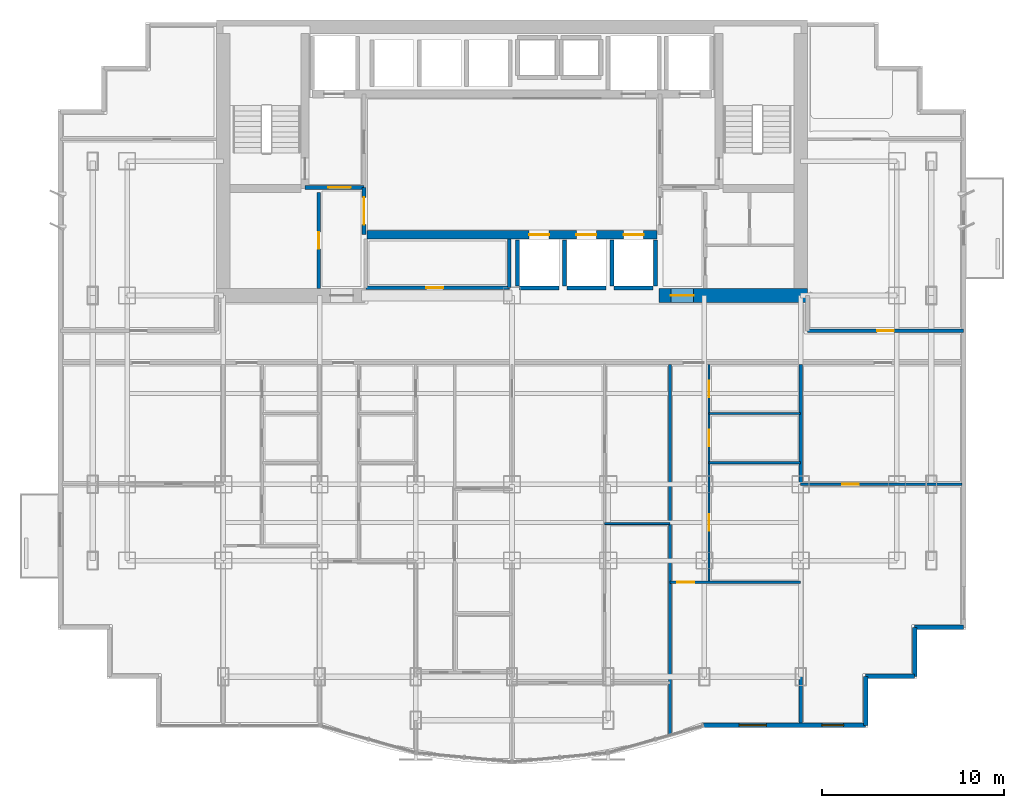
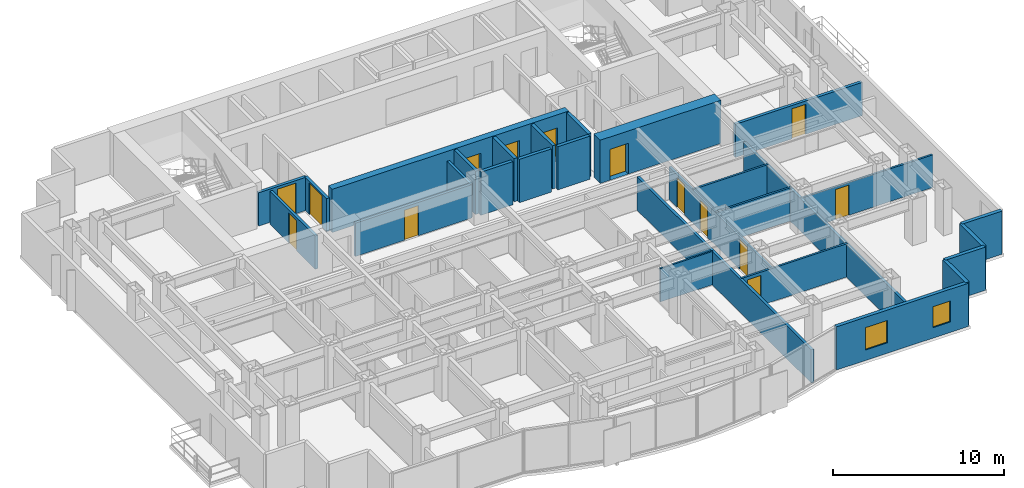
# One storey, part 6 of 10: 28 walls, 14 doors, 2 windows, 16 openings.
"""IFC4 building model written with IfcOpenShell, lengths in metres."""

from ifc_helpers import new_model, si_unit, direction, frame, frame_2d, origin, place, context, subcontext, project, spatial, rectangle, extrude, material, layer, layer_set, type_object, element, fill, save


model = new_model("IFC4")

# Units and contexts
model_context = context("Model", 3, precision=1e-05, world=origin(), true_north=direction((0.0, 1.0)))
body_context = subcontext(model_context, "Body", "Model", "MODEL_VIEW")
ifc_project = project(units=[si_unit("LENGTHUNIT", "METRE"), si_unit("AREAUNIT", "SQUARE_METRE"), si_unit("VOLUMEUNIT", "CUBIC_METRE"), si_unit("PLANEANGLEUNIT", "RADIAN"), si_unit("MASSUNIT", "GRAM", prefix="KILO")], contexts=[model_context])

# Site, building, storey
site_placement = place(None, origin())
site = spatial("IfcSite", under=ifc_project, at=site_placement, CompositionType="ELEMENT")
building_placement = place(site_placement, origin())
building = spatial("IfcBuilding", under=site, at=building_placement, Name="Qianlan Lanfeng Residences", CompositionType="ELEMENT")
storey_placement = place(building_placement, frame((0.0, 0.0, 118.0)))
storey = spatial("IfcBuildingStorey", under=building, at=storey_placement, Name="L32", CompositionType="ELEMENT", Elevation=118.0)

# Wall, openings, doors
ifc_material_1 = material(Name="Concrete C60", Category="concrete")
ifc_layer_1 = layer(ifc_material_1, 0.449951171875)
ifc_layer_set_1 = layer_set([ifc_layer_1], Name="Concrete C60")
wall_type_1 = type_object("IfcWallType", Name="CW-RC-450", PredefinedType="SHEAR", material=ifc_layer_set_1)
wall_1_placement = place(storey_placement, frame((18.5, 28.550048828125, 0.0), z_axis=(0.0, 0.0, 1.0), x_axis=(1.0, 0.0, 0.0)))
wall_1 = element("IfcWall", 1, at=wall_1_placement, inside=storey, type_object=wall_type_1, Name="L32 Core Shear Wall LBS", PredefinedType="SHEAR", context=body_context, shape_type="SweptSolid", body=[
    extrude(rectangle(XDim=16.0, YDim=0.449951171875, at=frame_2d((8.0, 0.0))), origin(), (0.0, 0.0, 1.0), 3.090087890625),
])
opening_1_placement = place(wall_1_placement, frame((8.949951171875, 0.0, 0.0)))
opening_1 = element("IfcOpeningElement", 2, at=opening_1_placement, cuts=wall_1, Name="Opening L32-LD-PL-M1", PredefinedType="OPENING", context=body_context, shape_type="SweptSolid", body=[
    extrude(rectangle(XDim=1.10009765625, YDim=2.14990234375, at=frame_2d((0.550048828125, 1.074951171875))), frame((0.0, 0.23486328125, 0.0), z_axis=(0.0, -1.0, 0.0), x_axis=(1.0, 0.0, 0.0)), (0.0, 0.0, 1.0), 0.469970703125),
])
opening_2_placement = place(wall_1_placement, frame((11.550048828125, 0.0, 0.0)))
opening_2 = element("IfcOpeningElement", 3, at=opening_2_placement, cuts=wall_1, Name="Opening L32-LD-PL-M2", PredefinedType="OPENING", context=body_context, shape_type="SweptSolid", body=[
    extrude(rectangle(XDim=1.10009765625, YDim=2.14990234375, at=frame_2d((0.550048828125, 1.074951171875))), frame((0.0, 0.23486328125, 0.0), z_axis=(0.0, -1.0, 0.0), x_axis=(1.0, 0.0, 0.0)), (0.0, 0.0, 1.0), 0.469970703125),
])
opening_3_placement = place(wall_1_placement, frame((14.14990234375, 0.0, 0.0)))
opening_3 = element("IfcOpeningElement", 4, at=opening_3_placement, cuts=wall_1, Name="Opening L32-LD-PL-M3", PredefinedType="OPENING", context=body_context, shape_type="SweptSolid", body=[
    extrude(rectangle(XDim=1.10009765625, YDim=2.14990234375, at=frame_2d((0.550048828125, 1.074951171875))), frame((0.0, 0.23486328125, 0.0), z_axis=(0.0, -1.0, 0.0), x_axis=(1.0, 0.0, 0.0)), (0.0, 0.0, 1.0), 0.469970703125),
])
ifc_material_2 = material(Name="Brushed Stainless Steel Sliding Lift Door", Category="steel")
door_type_1 = type_object("IfcDoorType", Name="LD-01", OperationType="NOTDEFINED", PredefinedType="DOOR", material=ifc_material_2)
door_1_placement = place(opening_1_placement, origin())
door_1 = element("IfcDoor", 5, at=door_1_placement, inside=storey, type_object=door_type_1, Name="L32 Elevator PL-M1 Sliding Landing Door", OperationType="DOUBLE_DOOR_SLIDING", OverallHeight=2.14990234375, OverallWidth=1.10009765625, PredefinedType="DOOR", context=body_context, shape_type="SweptSolid", body=[
    extrude(rectangle(XDim=1.10009765625, YDim=2.14990234375, at=frame_2d((0.550048828125, 1.074951171875))), frame((0.0, 0.02490234375, 0.0), z_axis=(0.0, -1.0, 0.0), x_axis=(1.0, 0.0, 0.0)), (0.0, 0.0, 1.0), 0.050048828125),
])
fill(opening_1, door_1)
door_2_placement = place(opening_2_placement, origin())
door_2 = element("IfcDoor", 6, at=door_2_placement, inside=storey, type_object=door_type_1, Name="L32 Elevator PL-M2 Sliding Landing Door", OperationType="DOUBLE_DOOR_SLIDING", OverallHeight=2.14990234375, OverallWidth=1.10009765625, PredefinedType="DOOR", context=body_context, shape_type="SweptSolid", body=[
    extrude(rectangle(XDim=1.10009765625, YDim=2.14990234375, at=frame_2d((0.550048828125, 1.074951171875))), frame((0.0, 0.02490234375, 0.0), z_axis=(0.0, -1.0, 0.0), x_axis=(1.0, 0.0, 0.0)), (0.0, 0.0, 1.0), 0.050048828125),
])
fill(opening_2, door_2)
door_3_placement = place(opening_3_placement, origin())
door_3 = element("IfcDoor", 7, at=door_3_placement, inside=storey, type_object=door_type_1, Name="L32 Elevator PL-M3 Sliding Landing Door", OperationType="DOUBLE_DOOR_SLIDING", OverallHeight=2.14990234375, OverallWidth=1.10009765625, PredefinedType="DOOR", context=body_context, shape_type="SweptSolid", body=[
    extrude(rectangle(XDim=1.10009765625, YDim=2.14990234375, at=frame_2d((0.550048828125, 1.074951171875))), frame((0.0, 0.02490234375, 0.0), z_axis=(0.0, -1.0, 0.0), x_axis=(1.0, 0.0, 0.0)), (0.0, 0.0, 1.0), 0.050048828125),
])
fill(opening_3, door_3)

# Wall, opening, door
ifc_layer_2 = layer(ifc_material_1, 0.75)
ifc_layer_set_2 = layer_set([ifc_layer_2], Name="Concrete C60")
wall_type_2 = type_object("IfcWallType", Name="CW-RC-750", PredefinedType="SHEAR", material=ifc_layer_set_2)
wall_2_placement = place(storey_placement, frame((34.60009765625, 25.199951171875, 0.0), z_axis=(0.0, 0.0, 1.0), x_axis=(1.0, 0.0, 0.0)))
wall_2 = element("IfcWall", 8, at=wall_2_placement, inside=storey, type_object=wall_type_2, Name="L32 Core Shear Wall SE", PredefinedType="SHEAR", context=body_context, shape_type="SweptSolid", body=[
    extrude(rectangle(XDim=8.1748046875, YDim=0.75, at=frame_2d((4.08740234375, 0.0))), origin(), (0.0, 0.0, 1.0), 3.090087890625),
])
opening_4_placement = place(wall_2_placement, frame((0.64990234375, 0.0, 0.0)))
opening_4 = element("IfcOpeningElement", 9, at=opening_4_placement, cuts=wall_2, Name="Opening L32-D02", PredefinedType="OPENING", context=body_context, shape_type="SweptSolid", body=[
    extrude(rectangle(XDim=1.25, YDim=2.199951171875, at=frame_2d((0.625, 1.10009765625))), frame((0.0, 0.385009765625, 0.0), z_axis=(0.0, -1.0, 0.0), x_axis=(1.0, 0.0, 0.0)), (0.0, 0.0, 1.0), 0.77001953125),
])
ifc_material_3 = material(Name="Painted Galvanised Steel Fire Door", Category="steel")
door_type_2 = type_object("IfcDoorType", Name="DT-FFL", OperationType="NOTDEFINED", PredefinedType="DOOR", material=ifc_material_3)
door_4_placement = place(opening_4_placement, frame((1.25, 0.0, 0.0), z_axis=(0.0, 0.0, 1.0), x_axis=(-1.0, 0.0, 0.0)))
door_4 = element("IfcDoor", 10, at=door_4_placement, inside=storey, type_object=door_type_2, Name="L32 East Core Lobby Smoke Door L32-D02 (DT-FFL)", OperationType="SINGLE_SWING_LEFT", OverallHeight=2.199951171875, OverallWidth=1.25, PredefinedType="DOOR", context=body_context, shape_type="SweptSolid", body=[
    extrude(rectangle(XDim=1.25, YDim=2.199951171875, at=frame_2d((0.625, 1.10009765625))), frame((0.0, 0.02490234375, 0.0), z_axis=(0.0, -1.0, 0.0), x_axis=(1.0, 0.0, 0.0)), (0.0, 0.0, 1.0), 0.050048828125),
])
fill(opening_4, door_4)

# Wall, openings, windows
ifc_material_4 = material(Name="Concrete C42", Category="concrete")
ifc_layer_3 = layer(ifc_material_4, 0.239990234375)
ifc_layer_set_3 = layer_set([ifc_layer_3], Name="Concrete C42")
wall_type_3 = type_object("IfcWallType", Name="EW-240", PredefinedType="SOLIDWALL", material=ifc_layer_set_3)
wall_3_placement = place(storey_placement, frame((37.05908203125, 1.52001953125, 0.0), z_axis=(0.0, 0.0, 1.0), x_axis=(1.0, 0.0, 0.0)))
wall_3 = element("IfcWall", 11, at=wall_3_placement, inside=storey, type_object=wall_type_3, Name="L32 Exterior Facade Spandrel Wall 5", PredefinedType="SOLIDWALL", context=body_context, shape_type="SweptSolid", body=[
    extrude(rectangle(XDim=8.9208984375, YDim=0.239990234375, at=frame_2d((4.46044921875, 0.0))), origin(), (0.0, 0.0, 1.0), 3.090087890625),
])
opening_5_placement = place(wall_3_placement, frame((1.946044921875, 0.0, 0.75)))
opening_5 = element("IfcOpeningElement", 12, at=opening_5_placement, cuts=wall_3, Name="Opening W-02", PredefinedType="OPENING", context=body_context, shape_type="SweptSolid", body=[
    extrude(rectangle(XDim=1.5, YDim=1.60009765625, at=frame_2d((0.75, 0.800048828125))), frame((0.0, 0.1298828125, 0.0), z_axis=(0.0, -1.0, 0.0), x_axis=(1.0, 0.0, 0.0)), (0.0, 0.0, 1.0), 0.260009765625),
])
opening_6_placement = place(wall_3_placement, frame((6.506103515625, 0.0, 0.75)))
opening_6 = element("IfcOpeningElement", 13, at=opening_6_placement, cuts=wall_3, Name="Opening W-03", PredefinedType="OPENING", context=body_context, shape_type="SweptSolid", body=[
    extrude(rectangle(XDim=1.199951171875, YDim=1.5, at=frame_2d((0.60009765625, 0.75))), frame((0.0, 0.1298828125, 0.0), z_axis=(0.0, -1.0, 0.0), x_axis=(1.0, 0.0, 0.0)), (0.0, 0.0, 1.0), 0.260009765625),
])
ifc_material_5 = material(Name="Anodised Bronze Aluminium Framed Double Glazing", Category="aluminium")
window_type_1 = type_object("IfcWindowType", Name="W-02", PartitioningType="SINGLE_PANEL", PredefinedType="WINDOW", material=ifc_material_5)
window_1_placement = place(opening_5_placement, origin())
window_1 = element("IfcWindow", 14, at=window_1_placement, inside=storey, type_object=window_type_1, Name="L32 Facade Punched Window W-02", OverallHeight=1.60009765625, OverallWidth=1.5, PartitioningType="SINGLE_PANEL", PredefinedType="WINDOW", context=body_context, shape_type="SweptSolid", body=[
    extrude(rectangle(XDim=1.5, YDim=1.60009765625, at=frame_2d((0.75, 0.800048828125))), frame((0.0, 0.030029296875, 0.0), z_axis=(0.0, -1.0, 0.0), x_axis=(1.0, 0.0, 0.0)), (0.0, 0.0, 1.0), 0.06005859375),
])
fill(opening_5, window_1)
window_type_2 = type_object("IfcWindowType", Name="W-03", PartitioningType="SINGLE_PANEL", PredefinedType="WINDOW", material=ifc_material_5)
window_2_placement = place(opening_6_placement, origin())
window_2 = element("IfcWindow", 15, at=window_2_placement, inside=storey, type_object=window_type_2, Name="L32 Facade Bay Window W-03", OverallHeight=1.5, OverallWidth=1.199951171875, PartitioningType="SINGLE_PANEL", PredefinedType="WINDOW", context=body_context, shape_type="SweptSolid", body=[
    extrude(rectangle(XDim=1.199951171875, YDim=1.5, at=frame_2d((0.60009765625, 0.75))), frame((0.0, 0.030029296875, 0.0), z_axis=(0.0, -1.0, 0.0), x_axis=(1.0, 0.0, 0.0)), (0.0, 0.0, 1.0), 0.06005859375),
])
fill(opening_6, window_2)

# Walls
for number, where, z_axis, x_axis, name in (
    (16, (45.97998046875, 1.52001953125, 0.0), (0.0, 0.0, 1.0), (0.0, 1.0, 0.0), "L32 Exterior Facade Spandrel Wall 6"),
    (17, (45.97998046875, 4.219970703125, 0.0), (0.0, 0.0, 1.0), (1.0, 0.0, 0.0), "L32 Exterior Facade Spandrel Wall 7"),
    (18, (48.679931640625, 4.219970703125, 0.0), (0.0, 0.0, 1.0), (0.0, 1.0, 0.0), "L32 Exterior Facade Spandrel Wall 8"),
    (19, (48.679931640625, 6.919921875, 0.0), (0.0, 0.0, 1.0), (1.0, 0.0, 0.0), "L32 Exterior Facade Spandrel Wall 9"),
):
    element("IfcWall", number, at=place(storey_placement, frame(where, z_axis=z_axis, x_axis=x_axis)), inside=storey, type_object=wall_type_3, Name=name, PredefinedType="SOLIDWALL", context=body_context, shape_type="SweptSolid", body=[
        extrude(rectangle(XDim=2.699951171875, YDim=0.239990234375, at=frame_2d((1.35009765625, 0.0))), origin(), (0.0, 0.0, 1.0), 3.090087890625),
    ])
ifc_material_6 = material(Name="Demountable Acoustic Framing Partition 110 mm")
ifc_layer_4 = layer(ifc_material_6, 0.110107421875)
ifc_layer_set_4 = layer_set([ifc_layer_4], Name="Demountable Acoustic Framing Partition 110 mm")
wall_type_4 = type_object("IfcWallType", Name="PW-110", PredefinedType="MOVABLE", material=ifc_layer_set_4)
wall_4_placement = place(storey_placement, frame((31.60009765625, 12.636962890625, 0.0), z_axis=(0.0, 0.0, 1.0), x_axis=(1.0, 0.0, 0.0)))
element("IfcWall", 20, at=wall_4_placement, inside=storey, type_object=wall_type_4, Name="L32 U02 Specialty Split Wall", PredefinedType="MOVABLE", context=body_context, shape_type="SweptSolid", body=[
    extrude(rectangle(XDim=3.599853515625, YDim=0.110107421875, at=frame_2d((1.7998046875, 0.0))), origin(), (0.0, 0.0, 1.0), 2.3798828125),
])

# Wall, opening, door
ifc_material_7 = material(Name="Moisture-Resistant Gypsum Partition 135 mm")
ifc_layer_5 = layer(ifc_material_7, 0.135009765625)
ifc_layer_set_5 = layer_set([ifc_layer_5], Name="Moisture-Resistant Gypsum Partition 135 mm")
wall_type_5 = type_object("IfcWallType", Name="PW-135", PredefinedType="PARTITIONING", material=ifc_layer_set_5)
wall_5_placement = place(storey_placement, frame((35.199951171875, 9.39794921875, 0.0), z_axis=(0.0, 0.0, 1.0), x_axis=(1.0, 0.0, 0.0)))
wall_5 = element("IfcWall", 21, at=wall_5_placement, inside=storey, type_object=wall_type_5, Name="L32 U03 Living Divider", PredefinedType="PARTITIONING", context=body_context, shape_type="SweptSolid", body=[
    extrude(rectangle(XDim=7.199951171875, YDim=0.135009765625, at=frame_2d((3.60009765625, 0.0))), origin(), (0.0, 0.0, 1.0), 2.3798828125),
])
opening_7_placement = place(wall_5_placement, frame((0.4150390625, 0.0, 0.0)))
opening_7 = element("IfcOpeningElement", 22, at=opening_7_placement, cuts=wall_5, Name="Opening L32-D36", PredefinedType="OPENING", context=body_context, shape_type="SweptSolid", body=[
    extrude(rectangle(XDim=0.919921875, YDim=2.14990234375, at=frame_2d((0.4599609375, 1.074951171875))), frame((0.0, 0.07763671875, 0.0), z_axis=(0.0, -1.0, 0.0), x_axis=(1.0, 0.0, 0.0)), (0.0, 0.0, 1.0), 0.155029296875),
])
ifc_material_8 = material(Name="Glazed Timber Kitchen/Study Door", Category="wood")
door_type_3 = type_object("IfcDoorType", Name="DT-INT", OperationType="NOTDEFINED", PredefinedType="DOOR", material=ifc_material_8)
door_5_placement = place(opening_7_placement, frame((0.919921875, 0.0, 0.0), z_axis=(0.0, 0.0, 1.0), x_axis=(-1.0, 0.0, 0.0)))
door_5 = element("IfcDoor", 23, at=door_5_placement, inside=storey, type_object=door_type_3, Name="L32 U03 Living Passage Door L32-D36 (DT-INT)", OperationType="SINGLE_SWING_RIGHT", OverallHeight=2.14990234375, OverallWidth=0.919921875, PredefinedType="DOOR", context=body_context, shape_type="SweptSolid", body=[
    extrude(rectangle(XDim=0.919921875, YDim=2.14990234375, at=frame_2d((0.4599609375, 1.074951171875))), frame((0.0, 0.02490234375, 0.0), z_axis=(0.0, -1.0, 0.0), x_axis=(1.0, 0.0, 0.0)), (0.0, 0.0, 1.0), 0.050048828125),
])
fill(opening_7, door_5)

# Wall, openings, doors
wall_6_placement = place(storey_placement, frame((37.35009765625, 9.39794921875, 0.0), z_axis=(0.0, 0.0, 1.0), x_axis=(0.0, 1.0, 0.0)))
wall_6 = element("IfcWall", 24, at=wall_6_placement, inside=storey, type_object=wall_type_5, Name="L32 U03 Entry Hall Spine", PredefinedType="PARTITIONING", context=body_context, shape_type="SweptSolid", body=[
    extrude(rectangle(XDim=12.001953125, YDim=0.135009765625, at=frame_2d((6.0009765625, 0.0))), origin(), (0.0, 0.0, 1.0), 2.3349609375),
])
opening_8_placement = place(wall_6_placement, frame((2.841064453125, 0.0, 0.0)))
opening_8 = element("IfcOpeningElement", 25, at=opening_8_placement, cuts=wall_6, Name="Opening L32-D37", PredefinedType="OPENING", context=body_context, shape_type="SweptSolid", body=[
    extrude(rectangle(XDim=0.919921875, YDim=2.14990234375, at=frame_2d((0.4599609375, 1.074951171875))), frame((0.0, 0.07763671875, 0.0), z_axis=(0.0, -1.0, 0.0), x_axis=(1.0, 0.0, 0.0)), (0.0, 0.0, 1.0), 0.155029296875),
])
opening_9_placement = place(wall_6_placement, frame((7.491943359375, 0.0, 0.0)))
opening_9 = element("IfcOpeningElement", 26, at=opening_9_placement, cuts=wall_6, Name="Opening L32-D38", PredefinedType="OPENING", context=body_context, shape_type="SweptSolid", body=[
    extrude(rectangle(XDim=0.919921875, YDim=2.14990234375, at=frame_2d((0.4599609375, 1.074951171875))), frame((0.0, 0.07763671875, 0.0), z_axis=(0.0, -1.0, 0.0), x_axis=(1.0, 0.0, 0.0)), (0.0, 0.0, 1.0), 0.155029296875),
])
opening_10_placement = place(wall_6_placement, frame((10.201904296875, 0.0, 0.0)))
opening_10 = element("IfcOpeningElement", 27, at=opening_10_placement, cuts=wall_6, Name="Opening L32-D39", PredefinedType="OPENING", context=body_context, shape_type="SweptSolid", body=[
    extrude(rectangle(XDim=0.89990234375, YDim=2.14990234375, at=frame_2d((0.449951171875, 1.074951171875))), frame((0.0, 0.07763671875, 0.0), z_axis=(0.0, -1.0, 0.0), x_axis=(1.0, 0.0, 0.0)), (0.0, 0.0, 1.0), 0.155029296875),
])
door_6_placement = place(opening_8_placement, origin())
door_6 = element("IfcDoor", 28, at=door_6_placement, inside=storey, type_object=door_type_3, Name="L32 U03 Study Door L32-D37 (DT-INT)", OperationType="SINGLE_SWING_LEFT", OverallHeight=2.14990234375, OverallWidth=0.919921875, PredefinedType="DOOR", context=body_context, shape_type="SweptSolid", body=[
    extrude(rectangle(XDim=0.919921875, YDim=2.14990234375, at=frame_2d((0.4599609375, 1.074951171875))), frame((0.0, 0.02490234375, 0.0), z_axis=(0.0, -1.0, 0.0), x_axis=(1.0, 0.0, 0.0)), (0.0, 0.0, 1.0), 0.050048828125),
])
fill(opening_8, door_6)
door_7_placement = place(opening_9_placement, origin())
door_7 = element("IfcDoor", 29, at=door_7_placement, inside=storey, type_object=door_type_3, Name="L32 U03 Kitchen Door L32-D38 (DT-INT)", OperationType="SINGLE_SWING_RIGHT", OverallHeight=2.14990234375, OverallWidth=0.919921875, PredefinedType="DOOR", context=body_context, shape_type="SweptSolid", body=[
    extrude(rectangle(XDim=0.919921875, YDim=2.14990234375, at=frame_2d((0.4599609375, 1.074951171875))), frame((0.0, 0.02490234375, 0.0), z_axis=(0.0, -1.0, 0.0), x_axis=(1.0, 0.0, 0.0)), (0.0, 0.0, 1.0), 0.050048828125),
])
fill(opening_9, door_7)
ifc_material_9 = material(Name="Moisture-Resistant Timber Leaf", Category="wood")
door_type_4 = type_object("IfcDoorType", Name="DT-WC", OperationType="NOTDEFINED", PredefinedType="DOOR", material=ifc_material_9)
door_8_placement = place(opening_10_placement, origin())
door_8 = element("IfcDoor", 30, at=door_8_placement, inside=storey, type_object=door_type_4, Name="L32 U03 Bathroom Door L32-D39 (DT-WC)", OperationType="SINGLE_SWING_LEFT", OverallHeight=2.14990234375, OverallWidth=0.89990234375, PredefinedType="DOOR", context=body_context, shape_type="SweptSolid", body=[
    extrude(rectangle(XDim=0.89990234375, YDim=2.14990234375, at=frame_2d((0.449951171875, 1.074951171875))), frame((0.0, 0.02490234375, 0.0), z_axis=(0.0, -1.0, 0.0), x_axis=(1.0, 0.0, 0.0)), (0.0, 0.0, 1.0), 0.050048828125),
])
fill(opening_10, door_8)

# Walls
for number, where, z_axis, x_axis, name in (
    (31, (37.35009765625, 16.0, 0.0), (0.0, 0.0, 1.0), (1.0, 0.0, 0.0), "L32 U03 Kitchen South Wall"),
    (32, (37.35009765625, 18.699951171875, 0.0), (0.0, 0.0, 1.0), (1.0, 0.0, 0.0), "L32 U03 Bathroom South Wall"),
):
    element("IfcWall", number, at=place(storey_placement, frame(where, z_axis=z_axis, x_axis=x_axis)), inside=storey, type_object=wall_type_5, Name=name, PredefinedType="PARTITIONING", context=body_context, shape_type="SweptSolid", body=[
        extrude(rectangle(XDim=5.0498046875, YDim=0.135009765625, at=frame_2d((2.52490234375, 0.0))), origin(), (0.0, 0.0, 1.0), 2.3798828125),
    ])

# Wall, opening, door
wall_7_placement = place(storey_placement, frame((42.39990234375, 14.800048828125, 0.0), z_axis=(0.0, 0.0, 1.0), x_axis=(1.0, 0.0, 0.0)))
wall_7 = element("IfcWall", 33, at=wall_7_placement, inside=storey, type_object=wall_type_5, Name="L32 SEP Mid Partition", PredefinedType="PARTITIONING", context=body_context, shape_type="SweptSolid", body=[
    extrude(rectangle(XDim=8.880126953125, YDim=0.135009765625, at=frame_2d((4.43994140625, 0.0))), origin(), (0.0, 0.0, 1.0), 2.3349609375),
])
opening_11_placement = place(wall_7_placement, frame((2.280029296875, 0.0, 0.0)))
opening_11 = element("IfcOpeningElement", 34, at=opening_11_placement, cuts=wall_7, Name="Opening L32-D42", PredefinedType="OPENING", context=body_context, shape_type="SweptSolid", body=[
    extrude(rectangle(XDim=0.919921875, YDim=2.14990234375, at=frame_2d((0.4599609375, 1.074951171875))), frame((0.0, 0.07763671875, 0.0), z_axis=(0.0, -1.0, 0.0), x_axis=(1.0, 0.0, 0.0)), (0.0, 0.0, 1.0), 0.155029296875),
])
door_9_placement = place(opening_11_placement, origin())
door_9 = element("IfcDoor", 35, at=door_9_placement, inside=storey, type_object=door_type_3, Name="L32 SEP Inner Door L32-D42 (DT-INT)", OperationType="SINGLE_SWING_RIGHT", OverallHeight=2.14990234375, OverallWidth=0.919921875, PredefinedType="DOOR", context=body_context, shape_type="SweptSolid", body=[
    extrude(rectangle(XDim=0.919921875, YDim=2.14990234375, at=frame_2d((0.4599609375, 1.074951171875))), frame((0.0, 0.02490234375, 0.0), z_axis=(0.0, -1.0, 0.0), x_axis=(1.0, 0.0, 0.0)), (0.0, 0.0, 1.0), 0.050048828125),
])
fill(opening_11, door_9)

ifc_material_10 = material(Name="Double-Layer Acoustic Gypsum Stud Wall 180 mm")
ifc_layer_6 = layer(ifc_material_10, 0.179931640625)
ifc_layer_set_6 = layer_set([ifc_layer_6], Name="Double-Layer Acoustic Gypsum Stud Wall 180 mm")
wall_type_6 = type_object("IfcWallType", Name="PW-180", PredefinedType="PARTITIONING", material=ifc_layer_set_6)
wall_8_placement = place(storey_placement, frame((15.85009765625, 25.574951171875, 0.0), z_axis=(0.0, 0.0, 1.0), x_axis=(0.0, 1.0, 0.0)))
wall_8 = element("IfcWall", 36, at=wall_8_placement, inside=storey, type_object=wall_type_6, Name="L32 Core West Service Room Wall", PredefinedType="PARTITIONING", context=body_context, shape_type="SweptSolid", body=[
    extrude(rectangle(XDim=5.300048828125, YDim=0.179931640625, at=frame_2d((2.64990234375, 0.0))), origin(), (0.0, 0.0, 1.0), 2.3798828125),
])
opening_12_placement = place(wall_8_placement, frame((2.18994140625, 0.0, 0.0)))
opening_12 = element("IfcOpeningElement", 37, at=opening_12_placement, cuts=wall_8, Name="Opening L32-D09", PredefinedType="OPENING", context=body_context, shape_type="SweptSolid", body=[
    extrude(rectangle(XDim=0.919921875, YDim=2.14990234375, at=frame_2d((0.4599609375, 1.074951171875))), frame((0.0, 0.10009765625, 0.0), z_axis=(0.0, -1.0, 0.0), x_axis=(1.0, 0.0, 0.0)), (0.0, 0.0, 1.0), 0.199951171875),
])
door_10_placement = place(opening_12_placement, origin())
door_10 = element("IfcDoor", 38, at=door_10_placement, inside=storey, type_object=door_type_3, Name="L32 Storage Room Door L32-D09 (DT-INT)", OperationType="SINGLE_SWING_LEFT", OverallHeight=2.14990234375, OverallWidth=0.919921875, PredefinedType="DOOR", context=body_context, shape_type="SweptSolid", body=[
    extrude(rectangle(XDim=0.919921875, YDim=2.14990234375, at=frame_2d((0.4599609375, 1.074951171875))), frame((0.0, 0.02490234375, 0.0), z_axis=(0.0, -1.0, 0.0), x_axis=(1.0, 0.0, 0.0)), (0.0, 0.0, 1.0), 0.050048828125),
])
fill(opening_12, door_10)

# Wall
wall_9_placement = place(storey_placement, frame((26.35009765625, 25.6201171875, 0.0), z_axis=(0.0, 0.0, 1.0), x_axis=(0.0, 1.0, 0.0)))
element("IfcWall", 39, at=wall_9_placement, inside=storey, type_object=wall_type_6, Name="L32 Reclaimed Low-Bank Room East Wall", PredefinedType="PARTITIONING", context=body_context, shape_type="SweptSolid", body=[
    extrude(rectangle(XDim=2.704833984375, YDim=0.179931640625, at=frame_2d((1.3525390625, 0.0))), origin(), (0.0, 0.0, 1.0), 2.3798828125),
])

# Wall, opening, door
wall_10_placement = place(storey_placement, frame((18.449951171875, 25.6201171875, 0.0), z_axis=(0.0, 0.0, 1.0), x_axis=(1.0, 0.0, 0.0)))
wall_10 = element("IfcWall", 40, at=wall_10_placement, inside=storey, type_object=wall_type_6, Name="L32 Reclaimed Low-Bank Room South Wall", PredefinedType="PARTITIONING", context=body_context, shape_type="SweptSolid", body=[
    extrude(rectangle(XDim=7.900146484375, YDim=0.179931640625, at=frame_2d((3.9501953125, 0.0))), origin(), (0.0, 0.0, 1.0), 2.3798828125),
])
opening_13_placement = place(wall_10_placement, frame((3.340087890625, 0.0, 0.0)))
opening_13 = element("IfcOpeningElement", 41, at=opening_13_placement, cuts=wall_10, Name="Opening L32-D15", PredefinedType="OPENING", context=body_context, shape_type="SweptSolid", body=[
    extrude(rectangle(XDim=0.919921875, YDim=2.14990234375, at=frame_2d((0.4599609375, 1.074951171875))), frame((0.0, 0.10009765625, 0.0), z_axis=(0.0, -1.0, 0.0), x_axis=(1.0, 0.0, 0.0)), (0.0, 0.0, 1.0), 0.199951171875),
])
door_11_placement = place(opening_13_placement, origin())
door_11 = element("IfcDoor", 42, at=door_11_placement, inside=storey, type_object=door_type_3, Name="L32 Reclaimed Core Salon Door L32-D15 (DT-INT)", OperationType="SINGLE_SWING_LEFT", OverallHeight=2.14990234375, OverallWidth=0.919921875, PredefinedType="DOOR", context=body_context, shape_type="SweptSolid", body=[
    extrude(rectangle(XDim=0.919921875, YDim=2.14990234375, at=frame_2d((0.4599609375, 1.074951171875))), frame((0.0, 0.02490234375, 0.0), z_axis=(0.0, -1.0, 0.0), x_axis=(1.0, 0.0, 0.0)), (0.0, 0.0, 1.0), 0.050048828125),
])
fill(opening_13, door_11)

# Walls
wall_11_placement = place(storey_placement, frame((42.39990234375, 1.6201171875, 0.0), z_axis=(0.0, 0.0, 1.0), x_axis=(0.0, 1.0, 0.0)))
element("IfcWall", 43, at=wall_11_placement, inside=storey, type_object=wall_type_6, Name="L32 Wing Boundary Party Wall E0", PredefinedType="PARTITIONING", context=body_context, shape_type="SweptSolid", body=[
    extrude(rectangle(XDim=19.77978515625, YDim=0.179931640625, at=frame_2d((9.889892578125, 0.0))), origin(), (0.0, 0.0, 1.0), 2.3349609375),
])
wall_12_placement = place(storey_placement, frame((35.199951171875, 0.989990234375, 0.0), z_axis=(0.0, 0.0, 1.0), x_axis=(0.0, 1.0, 0.0)))
element("IfcWall", 44, at=wall_12_placement, inside=storey, type_object=wall_type_6, Name="L32 Inter-Tenancy Party Wall 3", PredefinedType="PARTITIONING", context=body_context, shape_type="SweptSolid", body=[
    extrude(rectangle(XDim=20.409912109375, YDim=0.179931640625, at=frame_2d((10.205078125, 0.0))), origin(), (0.0, 0.0, 1.0), 2.3798828125),
])

# Wall, opening, door
ifc_material_11 = material(Name="Autoclaved Aerated Concrete Blockwork 200 mm", Category="masonry")
ifc_layer_7 = layer(ifc_material_11, 0.199951171875)
ifc_layer_set_7 = layer_set([ifc_layer_7], Name="Autoclaved Aerated Concrete Blockwork 200 mm")
wall_type_7 = type_object("IfcWallType", Name="PW-200", PredefinedType="PARTITIONING", material=ifc_layer_set_7)
wall_13_placement = place(storey_placement, frame((15.10009765625, 31.14990234375, 0.0), z_axis=(0.0, 0.0, 1.0), x_axis=(1.0, 0.0, 0.0)))
wall_13 = element("IfcWall", 45, at=wall_13_placement, inside=storey, type_object=wall_type_7, Name="L32 Firefighting Lobby 1 South Wall", PredefinedType="PARTITIONING", context=body_context, shape_type="SweptSolid", body=[
    extrude(rectangle(XDim=3.25, YDim=0.199951171875, at=frame_2d((1.625, 0.0))), origin(), (0.0, 0.0, 1.0), 2.3798828125),
])
opening_14_placement = place(wall_13_placement, frame((1.27490234375, 0.0, 0.0)))
opening_14 = element("IfcOpeningElement", 46, at=opening_14_placement, cuts=wall_13, Name="Opening L32-D03", PredefinedType="OPENING", context=body_context, shape_type="SweptSolid", body=[
    extrude(rectangle(XDim=1.25, YDim=2.199951171875, at=frame_2d((0.625, 1.10009765625))), frame((0.0, 0.10986328125, 0.0), z_axis=(0.0, -1.0, 0.0), x_axis=(1.0, 0.0, 0.0)), (0.0, 0.0, 1.0), 0.219970703125),
])
door_12_placement = place(opening_14_placement, origin())
door_12 = element("IfcDoor", 47, at=door_12_placement, inside=storey, type_object=door_type_2, Name="L32 Firefighting Lobby 1 Entry Door L32-D03 (DT-FFL)", OperationType="SINGLE_SWING_LEFT", OverallHeight=2.199951171875, OverallWidth=1.25, PredefinedType="DOOR", context=body_context, shape_type="SweptSolid", body=[
    extrude(rectangle(XDim=1.25, YDim=2.199951171875, at=frame_2d((0.625, 1.10009765625))), frame((0.0, 0.02490234375, 0.0), z_axis=(0.0, -1.0, 0.0), x_axis=(1.0, 0.0, 0.0)), (0.0, 0.0, 1.0), 0.050048828125),
])
fill(opening_14, door_12)

wall_14_placement = place(storey_placement, frame((18.35009765625, 28.550048828125, 0.0), z_axis=(0.0, 0.0, 1.0), x_axis=(0.0, 1.0, 0.0)))
wall_14 = element("IfcWall", 48, at=wall_14_placement, inside=storey, type_object=wall_type_7, Name="L32 Lift Lobby West Connector Wall", PredefinedType="PARTITIONING", context=body_context, shape_type="SweptSolid", body=[
    extrude(rectangle(XDim=2.599853515625, YDim=0.199951171875, at=frame_2d((1.2998046875, 0.0))), origin(), (0.0, 0.0, 1.0), 2.3798828125),
])
opening_15_placement = place(wall_14_placement, frame((0.550048828125, 0.0, 0.0)))
opening_15 = element("IfcOpeningElement", 49, at=opening_15_placement, cuts=wall_14, Name="Opening L32-D13", PredefinedType="OPENING", context=body_context, shape_type="SweptSolid", body=[
    extrude(rectangle(XDim=1.5, YDim=2.25, at=frame_2d((0.75, 1.125))), frame((0.0, 0.10986328125, 0.0), z_axis=(0.0, -1.0, 0.0), x_axis=(1.0, 0.0, 0.0)), (0.0, 0.0, 1.0), 0.219970703125),
])
ifc_material_12 = material(Name="Timber Veneer Acoustic Fire Door", Category="wood")
door_type_5 = type_object("IfcDoorType", Name="DT-COR1", OperationType="NOTDEFINED", PredefinedType="DOOR", material=ifc_material_12)
door_13_placement = place(opening_15_placement, origin())
door_13 = element("IfcDoor", 50, at=door_13_placement, inside=storey, type_object=door_type_5, Name="L32 Lift Lobby West Portal Door L32-D13 (DT-COR1)", OperationType="DOUBLE_DOOR_SINGLE_SWING", OverallHeight=2.25, OverallWidth=1.5, PredefinedType="DOOR", context=body_context, shape_type="SweptSolid", body=[
    extrude(rectangle(XDim=1.5, YDim=2.25, at=frame_2d((0.75, 1.125))), frame((0.0, 0.02490234375, 0.0), z_axis=(0.0, -1.0, 0.0), x_axis=(1.0, 0.0, 0.0)), (0.0, 0.0, 1.0), 0.050048828125),
])
fill(opening_15, door_13)

wall_15_placement = place(storey_placement, frame((42.77490234375, 23.25, 0.0), z_axis=(0.0, 0.0, 1.0), x_axis=(1.0, 0.0, 0.0)))
wall_15 = element("IfcWall", 51, at=wall_15_placement, inside=storey, type_object=wall_type_7, Name="L32 Corridor NE Wall", PredefinedType="PARTITIONING", context=body_context, shape_type="SweptSolid", body=[
    extrude(rectangle(XDim=8.60498046875, YDim=0.199951171875, at=frame_2d((4.302490234375, 0.0))), origin(), (0.0, 0.0, 1.0), 2.3798828125),
])
opening_16_placement = place(wall_15_placement, frame((3.842041015625, 0.0, 0.0)))
opening_16 = element("IfcOpeningElement", 52, at=opening_16_placement, cuts=wall_15, Name="Opening L32-D47", PredefinedType="OPENING", context=body_context, shape_type="SweptSolid", body=[
    extrude(rectangle(XDim=0.919921875, YDim=2.14990234375, at=frame_2d((0.4599609375, 1.074951171875))), frame((0.0, 0.10986328125, 0.0), z_axis=(0.0, -1.0, 0.0), x_axis=(1.0, 0.0, 0.0)), (0.0, 0.0, 1.0), 0.219970703125),
])
door_14_placement = place(opening_16_placement, origin())
door_14 = element("IfcDoor", 53, at=door_14_placement, inside=storey, type_object=door_type_3, Name="L32 EW Amenity Salon Door L32-D47 (DT-INT)", OperationType="SINGLE_SWING_LEFT", OverallHeight=2.14990234375, OverallWidth=0.919921875, PredefinedType="DOOR", context=body_context, shape_type="SweptSolid", body=[
    extrude(rectangle(XDim=0.919921875, YDim=2.14990234375, at=frame_2d((0.4599609375, 1.074951171875))), frame((0.0, 0.02490234375, 0.0), z_axis=(0.0, -1.0, 0.0), x_axis=(1.0, 0.0, 0.0)), (0.0, 0.0, 1.0), 0.050048828125),
])
fill(opening_16, door_14)

# Walls
ifc_material_13 = material(Name="Concrete C49", Category="concrete")
ifc_layer_8 = layer(ifc_material_13, 0.219970703125)
ifc_layer_set_8 = layer_set([ifc_layer_8], Name="Concrete C49")
wall_type_8 = type_object("IfcWallType", Name="SHW-220", PredefinedType="SOLIDWALL", material=ifc_layer_set_8)
wall_16_placement = place(storey_placement, frame((26.800048828125, 25.719970703125, 0.0), z_axis=(0.0, 0.0, 1.0), x_axis=(0.0, 1.0, 0.0)))
element("IfcWall", 54, at=wall_16_placement, inside=storey, type_object=wall_type_8, Name="L32 Lift PL-M1 Shaft Wall W", PredefinedType="SOLIDWALL", context=body_context, shape_type="SweptSolid", body=[
    extrude(rectangle(XDim=2.530029296875, YDim=0.219970703125, at=frame_2d((1.26513671875, 0.0))), origin(), (0.0, 0.0, 1.0), 3.090087890625),
])
wall_17_placement = place(storey_placement, frame((26.919921875, 25.60009765625, 0.0), z_axis=(0.0, 0.0, 1.0), x_axis=(1.0, 0.0, 0.0)))
element("IfcWall", 55, at=wall_17_placement, inside=storey, type_object=wall_type_8, Name="L32 Lift PL-M1 Shaft Back Wall S", PredefinedType="SOLIDWALL", context=body_context, shape_type="SweptSolid", body=[
    extrude(rectangle(XDim=2.16015625, YDim=0.219970703125, at=frame_2d((1.080078125, 0.0))), origin(), (0.0, 0.0, 1.0), 3.090087890625),
])
wall_18_placement = place(storey_placement, frame((29.39990234375, 25.719970703125, 0.0), z_axis=(0.0, 0.0, 1.0), x_axis=(0.0, 1.0, 0.0)))
element("IfcWall", 56, at=wall_18_placement, inside=storey, type_object=wall_type_8, Name="L32 Lift PL-M2 Shaft Wall W", PredefinedType="SOLIDWALL", context=body_context, shape_type="SweptSolid", body=[
    extrude(rectangle(XDim=2.530029296875, YDim=0.219970703125, at=frame_2d((1.26513671875, 0.0))), origin(), (0.0, 0.0, 1.0), 3.090087890625),
])
wall_19_placement = place(storey_placement, frame((29.52001953125, 25.60009765625, 0.0), z_axis=(0.0, 0.0, 1.0), x_axis=(1.0, 0.0, 0.0)))
element("IfcWall", 57, at=wall_19_placement, inside=storey, type_object=wall_type_8, Name="L32 Lift PL-M2 Shaft Back Wall S", PredefinedType="SOLIDWALL", context=body_context, shape_type="SweptSolid", body=[
    extrude(rectangle(XDim=2.159912109375, YDim=0.219970703125, at=frame_2d((1.080078125, 0.0))), origin(), (0.0, 0.0, 1.0), 3.090087890625),
])
for number, where, z_axis, x_axis, name in (
    (58, (32.0, 25.719970703125, 0.0), (0.0, 0.0, 1.0), (0.0, 1.0, 0.0), "L32 Lift PL-M3 Shaft Wall W"),
    (59, (34.39990234375, 25.719970703125, 0.0), (0.0, 0.0, 1.0), (0.0, 1.0, 0.0), "L32 Lift PL-M3 Shaft Wall E"),
):
    element("IfcWall", number, at=place(storey_placement, frame(where, z_axis=z_axis, x_axis=x_axis)), inside=storey, type_object=wall_type_8, Name=name, PredefinedType="SOLIDWALL", context=body_context, shape_type="SweptSolid", body=[
        extrude(rectangle(XDim=2.530029296875, YDim=0.219970703125, at=frame_2d((1.26513671875, 0.0))), origin(), (0.0, 0.0, 1.0), 3.090087890625),
    ])
wall_20_placement = place(storey_placement, frame((32.1201171875, 25.60009765625, 0.0), z_axis=(0.0, 0.0, 1.0), x_axis=(1.0, 0.0, 0.0)))
element("IfcWall", 60, at=wall_20_placement, inside=storey, type_object=wall_type_8, Name="L32 Lift PL-M3 Shaft Back Wall S", PredefinedType="SOLIDWALL", context=body_context, shape_type="SweptSolid", body=[
    extrude(rectangle(XDim=2.159912109375, YDim=0.219970703125, at=frame_2d((1.080078125, 0.0))), origin(), (0.0, 0.0, 1.0), 3.090087890625),
])

save(model, "model.ifc")
